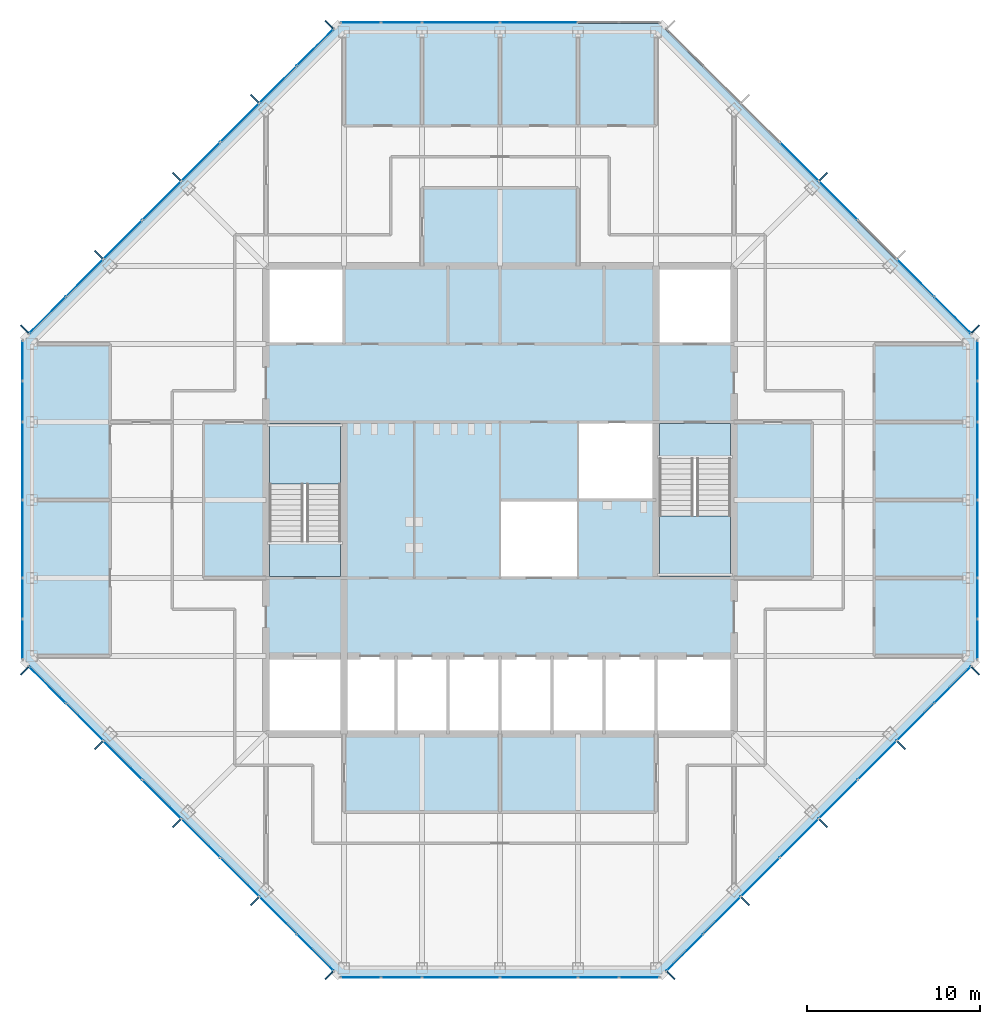
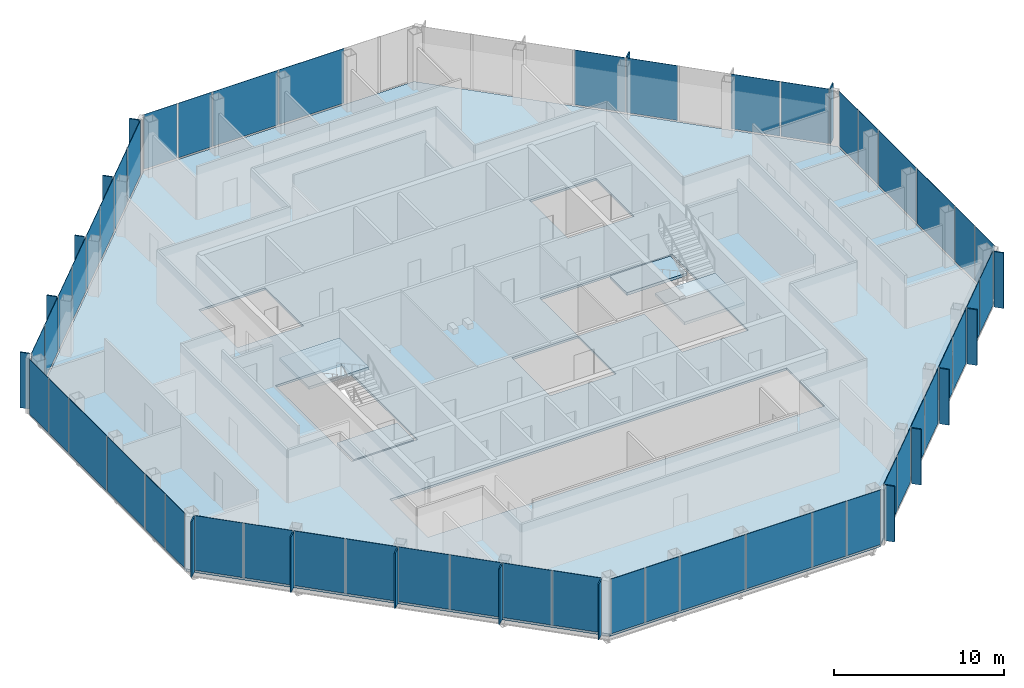
# One storey, part 8 of 14: 67 plates, 5 slabs, 10 elements without a shape of their own.
"""IFC4 building model written with IfcOpenShell, lengths in metres."""

from ifc_helpers import new_model, si_unit, direction, frame, origin, origin_2d, place, context, subcontext, project, spatial, polyline, rectangle, outline, extrude, material, layer, layer_set, type_object, element, aggregate, save


model = new_model("IFC4")

# Units and contexts
model_context = context("Model", 3, precision=1e-05, world=origin(), true_north=direction((0.0, 1.0)))
body_context = subcontext(model_context, "Body", "Model", "MODEL_VIEW")
ifc_project = project(units=[si_unit("LENGTHUNIT", "METRE"), si_unit("AREAUNIT", "SQUARE_METRE"), si_unit("VOLUMEUNIT", "CUBIC_METRE"), si_unit("PLANEANGLEUNIT", "RADIAN"), si_unit("MASSUNIT", "GRAM", prefix="KILO")], contexts=[model_context])

# Site, building, storey
site_placement = place(None, origin())
site = spatial("IfcSite", under=ifc_project, at=site_placement, CompositionType="ELEMENT")
building_placement = place(site_placement, origin())
building = spatial("IfcBuilding", under=site, at=building_placement, Name="Corais Broadcast Tower", CompositionType="ELEMENT")
storey_placement = place(building_placement, frame((0.0, 0.0, 214.60009765625)))
storey = spatial("IfcBuildingStorey", under=building, at=storey_placement, Name="L49", CompositionType="ELEMENT", Elevation=214.60009765625)

# Slab
ifc_material_1 = material(Name="Concrete C30/37", Category="concrete")
ifc_layer_1 = layer(ifc_material_1, 0.159912109375)
ifc_layer_set_1 = layer_set([ifc_layer_1], Name="Concrete C30/37")
slab_type_1 = type_object("IfcSlabType", Name="Composite floor slab 160", PredefinedType="FLOOR", material=ifc_layer_set_1)
slab_1_placement = place(storey_placement, frame((0.0, 0.0, -0.16015625)))
element("IfcSlab", 1, at=slab_1_placement, inside=storey, type_object=slab_type_1, Name="S160 floor slab L49", PredefinedType="FLOOR", context=body_context, shape_type="SweptSolid", body=[
    extrude(outline(polyline([(17.80126953125, -0.47998046875), (-0.47998046875, 17.80126953125), (-0.47998046875, 36.19873046875), (17.80126953125, 54.47998046875), (36.19873046875, 54.47998046875), (54.47998046875, 36.19873046875), (54.47998046875, 17.80126953125), (36.19873046875, -0.47998046875), (17.80126953125, -0.47998046875)]), holes=[polyline([(13.5, 18.0), (40.5, 18.0), (40.5, 13.5), (13.5, 13.5), (13.5, 18.0)]), polyline([(18.0, 22.5), (13.5, 22.5), (13.5, 31.5), (18.0, 31.5), (18.0, 22.5)]), polyline([(18.0, 36.0), (13.5, 36.0), (13.5, 40.5), (18.0, 40.5), (18.0, 36.0)]), polyline([(31.5, 22.5), (27.0, 22.5), (27.0, 27.0), (31.4951171875, 27.0), (31.4951171875, 27.0048828125), (31.5, 27.0048828125), (31.5, 31.5), (40.5, 31.5), (40.5, 22.5), (36.0, 22.5), (36.0, 27.0), (31.5048828125, 27.0), (31.5048828125, 26.9951171875), (31.5, 26.9951171875), (31.5, 22.5)]), polyline([(40.5, 36.0), (36.0, 36.0), (36.0, 40.5), (40.5, 40.5), (40.5, 36.0)])]), origin(), (0.0, 0.0, 1.0), 0.16015625),
])

# Curtain wall, plates
ifc_material_2 = material(Name="Aluminium and glass", Category="aluminium")
curtain_wall_type = type_object("IfcCurtainWallType", Name="Unitised fritted curtain wall CW3", PredefinedType="NOTDEFINED", material=ifc_material_2)
curtain_wall_1_placement = place(storey_placement, origin())
curtain_wall_1 = element("IfcCurtainWall", 2, at=curtain_wall_1_placement, inside=storey, type_object=curtain_wall_type, Name="CW3 curtain wall L49 1", PredefinedType="NOTDEFINED")
ifc_material_3 = material(Name="Ceramic-fritted laminated glass", Category="glass")
ifc_layer_2 = layer(ifc_material_3, 0.02587890625)
ifc_layer_set_2 = layer_set([ifc_layer_2], Name="Ceramic-fritted laminated glass")
plate_type_1 = type_object("IfcPlateType", Name="Fritted glass panel CW3", PredefinedType="CURTAIN_PANEL", material=ifc_layer_set_2)
plate_1_placement = place(storey_placement, frame((16.330322265625, 0.891845703125, 0.06494140625), z_axis=(0.0, 0.0, 1.0), x_axis=(-0.707106781187, 0.707106781187, 0.0)))
plate_1 = element("IfcPlate", 3, at=plate_1_placement, type_object=plate_type_1, Name="CW3 panel 1", PredefinedType="CURTAIN_PANEL", context=body_context, shape_type="SweptSolid", body=[
    extrude(rectangle(XDim=2.9482421875, YDim=0.02587890625, at=origin_2d()), origin(), (0.0, 0.0, 1.0), 3.93505859375),
])
plate_2_placement = place(storey_placement, frame((11.986083984375, 5.236083984375, 0.06494140625), z_axis=(0.0, 0.0, 1.0), x_axis=(-0.707106781187, 0.707106781187, 0.0)))
plate_2 = element("IfcPlate", 4, at=plate_2_placement, type_object=plate_type_1, Name="CW3 panel 3", PredefinedType="CURTAIN_PANEL", context=body_context, shape_type="SweptSolid", body=[
    extrude(rectangle(XDim=3.116943359375, YDim=0.02587890625, at=origin_2d()), origin(), (0.0, 0.0, 1.0), 3.93505859375),
])
plate_3_placement = place(storey_placement, frame((7.486083984375, 9.736083984375, 0.06494140625), z_axis=(0.0, 0.0, 1.0), x_axis=(-0.707106781187, 0.707106781187, 0.0)))
plate_3 = element("IfcPlate", 5, at=plate_3_placement, type_object=plate_type_1, Name="CW3 panel 5", PredefinedType="CURTAIN_PANEL", context=body_context, shape_type="SweptSolid", body=[
    extrude(rectangle(XDim=3.116943359375, YDim=0.02587890625, at=origin_2d()), origin(), (0.0, 0.0, 1.0), 3.93505859375),
])
plate_4_placement = place(storey_placement, frame((3.0341796875, 14.18798828125, 0.06494140625), z_axis=(0.0, 0.0, 1.0), x_axis=(-0.707106781187, 0.707106781187, 0.0)))
plate_4 = element("IfcPlate", 6, at=plate_4_placement, type_object=plate_type_1, Name="CW3 panel 7", PredefinedType="CURTAIN_PANEL", context=body_context, shape_type="SweptSolid", body=[
    extrude(rectangle(XDim=2.98095703125, YDim=0.02587890625, at=origin_2d()), origin(), (0.0, 0.0, 1.0), 3.93505859375),
])

curtain_wall_2_placement = place(storey_placement, origin())
curtain_wall_2 = element("IfcCurtainWall", 7, at=curtain_wall_2_placement, inside=storey, type_object=curtain_wall_type, Name="CW3 curtain wall L49 2", PredefinedType="NOTDEFINED")
plate_5_placement = place(storey_placement, frame((-0.550048828125, 18.970458984375, 0.06494140625), z_axis=(0.0, 0.0, 1.0), x_axis=(0.0, 1.0, 0.0)))
plate_5 = element("IfcPlate", 8, at=plate_5_placement, type_object=plate_type_1, Name="CW3 panel 1", PredefinedType="CURTAIN_PANEL", context=body_context, shape_type="SweptSolid", body=[
    extrude(rectangle(XDim=2.266357421875, YDim=0.02587890625, at=origin_2d()), origin(), (0.0, 0.0, 1.0), 3.93505859375),
])
plate_6_placement = place(storey_placement, frame((-0.550048828125, 24.75, 0.06494140625), z_axis=(0.0, 0.0, 1.0), x_axis=(0.0, 1.0, 0.0)))
plate_6 = element("IfcPlate", 9, at=plate_6_placement, type_object=plate_type_1, Name="CW3 panel 3", PredefinedType="CURTAIN_PANEL", context=body_context, shape_type="SweptSolid", body=[
    extrude(rectangle(XDim=4.43505859375, YDim=0.02587890625, at=origin_2d()), origin(), (0.0, 0.0, 1.0), 3.93505859375),
])
plate_7_placement = place(storey_placement, frame((-0.550048828125, 32.681884765625, 0.06494140625), z_axis=(0.0, 0.0, 1.0), x_axis=(0.0, 1.0, 0.0)))
plate_7 = element("IfcPlate", 10, at=plate_7_placement, type_object=plate_type_1, Name="CW3 panel 5", PredefinedType="CURTAIN_PANEL", context=body_context, shape_type="SweptSolid", body=[
    extrude(rectangle(XDim=2.298828125, YDim=0.02587890625, at=origin_2d()), origin(), (0.0, 0.0, 1.0), 3.93505859375),
])

curtain_wall_3_placement = place(storey_placement, origin())
curtain_wall_3 = element("IfcCurtainWall", 11, at=curtain_wall_3_placement, inside=storey, type_object=curtain_wall_type, Name="CW3 curtain wall L49 3", PredefinedType="NOTDEFINED")
plate_8_placement = place(storey_placement, frame((0.891845703125, 37.669677734375, 0.06494140625), z_axis=(0.0, 0.0, 1.0), x_axis=(0.707106781187, 0.707106781187, 0.0)))
plate_8 = element("IfcPlate", 12, at=plate_8_placement, type_object=plate_type_1, Name="CW3 panel 1", PredefinedType="CURTAIN_PANEL", context=body_context, shape_type="SweptSolid", body=[
    extrude(rectangle(XDim=2.9482421875, YDim=0.02587890625, at=origin_2d()), origin(), (0.0, 0.0, 1.0), 3.93505859375),
])
plate_9_placement = place(storey_placement, frame((5.236083984375, 42.013916015625, 0.06494140625), z_axis=(0.0, 0.0, 1.0), x_axis=(0.707106781187, 0.707106781187, 0.0)))
plate_9 = element("IfcPlate", 13, at=plate_9_placement, type_object=plate_type_1, Name="CW3 panel 3", PredefinedType="CURTAIN_PANEL", context=body_context, shape_type="SweptSolid", body=[
    extrude(rectangle(XDim=3.116943359375, YDim=0.02587890625, at=origin_2d()), origin(), (0.0, 0.0, 1.0), 3.93505859375),
])
plate_10_placement = place(storey_placement, frame((9.736083984375, 46.513916015625, 0.06494140625), z_axis=(0.0, 0.0, 1.0), x_axis=(0.707106781187, 0.707106781187, 0.0)))
plate_10 = element("IfcPlate", 14, at=plate_10_placement, type_object=plate_type_1, Name="CW3 panel 5", PredefinedType="CURTAIN_PANEL", context=body_context, shape_type="SweptSolid", body=[
    extrude(rectangle(XDim=3.116943359375, YDim=0.02587890625, at=origin_2d()), origin(), (0.0, 0.0, 1.0), 3.93505859375),
])
plate_11_placement = place(storey_placement, frame((14.18798828125, 50.9658203125, 0.06494140625), z_axis=(0.0, 0.0, 1.0), x_axis=(0.707106781187, 0.707106781187, 0.0)))
plate_11 = element("IfcPlate", 15, at=plate_11_placement, type_object=plate_type_1, Name="CW3 panel 7", PredefinedType="CURTAIN_PANEL", context=body_context, shape_type="SweptSolid", body=[
    extrude(rectangle(XDim=2.98095703125, YDim=0.02587890625, at=origin_2d()), origin(), (0.0, 0.0, 1.0), 3.93505859375),
])

curtain_wall_4_placement = place(storey_placement, origin())
curtain_wall_4 = element("IfcCurtainWall", 16, at=curtain_wall_4_placement, inside=storey, type_object=curtain_wall_type, Name="CW3 curtain wall L49 4", PredefinedType="NOTDEFINED")
plate_12_placement = place(storey_placement, frame((18.970458984375, 54.550048828125, 0.06494140625), z_axis=(0.0, 0.0, 1.0), x_axis=(1.0, 0.0, 0.0)))
plate_12 = element("IfcPlate", 17, at=plate_12_placement, type_object=plate_type_1, Name="CW3 panel 1", PredefinedType="CURTAIN_PANEL", context=body_context, shape_type="SweptSolid", body=[
    extrude(rectangle(XDim=2.266357421875, YDim=0.02587890625, at=origin_2d()), origin(), (0.0, 0.0, 1.0), 3.93505859375),
])
plate_13_placement = place(storey_placement, frame((24.75, 54.550048828125, 0.06494140625), z_axis=(0.0, 0.0, 1.0), x_axis=(1.0, 0.0, 0.0)))
plate_13 = element("IfcPlate", 18, at=plate_13_placement, type_object=plate_type_1, Name="CW3 panel 3", PredefinedType="CURTAIN_PANEL", context=body_context, shape_type="SweptSolid", body=[
    extrude(rectangle(XDim=4.43505859375, YDim=0.02587890625, at=origin_2d()), origin(), (0.0, 0.0, 1.0), 3.93505859375),
])

curtain_wall_5_placement = place(storey_placement, origin())
curtain_wall_5 = element("IfcCurtainWall", 19, at=curtain_wall_5_placement, inside=storey, type_object=curtain_wall_type, Name="CW3 curtain wall L49 5", PredefinedType="NOTDEFINED")
plate_14_placement = place(storey_placement, frame((46.513916015625, 44.263916015625, 0.06494140625), z_axis=(0.0, 0.0, 1.0), x_axis=(0.707106781187, -0.707106781187, 0.0)))
plate_14 = element("IfcPlate", 20, at=plate_14_placement, type_object=plate_type_1, Name="CW3 panel 5", PredefinedType="CURTAIN_PANEL", context=body_context, shape_type="SweptSolid", body=[
    extrude(rectangle(XDim=3.116943359375, YDim=0.02587890625, at=origin_2d()), origin(), (0.0, 0.0, 1.0), 3.93505859375),
])
plate_15_placement = place(storey_placement, frame((50.9658203125, 39.81201171875, 0.06494140625), z_axis=(0.0, 0.0, 1.0), x_axis=(0.707106781187, -0.707106781187, 0.0)))
plate_15 = element("IfcPlate", 21, at=plate_15_placement, type_object=plate_type_1, Name="CW3 panel 7", PredefinedType="CURTAIN_PANEL", context=body_context, shape_type="SweptSolid", body=[
    extrude(rectangle(XDim=2.98095703125, YDim=0.02587890625, at=origin_2d()), origin(), (0.0, 0.0, 1.0), 3.93505859375),
])

curtain_wall_6_placement = place(storey_placement, origin())
curtain_wall_6 = element("IfcCurtainWall", 22, at=curtain_wall_6_placement, inside=storey, type_object=curtain_wall_type, Name="CW3 curtain wall L49 6", PredefinedType="NOTDEFINED")
plate_16_placement = place(storey_placement, frame((54.550048828125, 35.029541015625, 0.06494140625), z_axis=(0.0, 0.0, 1.0), x_axis=(0.0, -1.0, 0.0)))
plate_16 = element("IfcPlate", 23, at=plate_16_placement, type_object=plate_type_1, Name="CW3 panel 1", PredefinedType="CURTAIN_PANEL", context=body_context, shape_type="SweptSolid", body=[
    extrude(rectangle(XDim=2.266357421875, YDim=0.02587890625, at=origin_2d()), origin(), (0.0, 0.0, 1.0), 3.93505859375),
])
plate_17_placement = place(storey_placement, frame((54.550048828125, 29.25, 0.06494140625), z_axis=(0.0, 0.0, 1.0), x_axis=(0.0, -1.0, 0.0)))
plate_17 = element("IfcPlate", 24, at=plate_17_placement, type_object=plate_type_1, Name="CW3 panel 3", PredefinedType="CURTAIN_PANEL", context=body_context, shape_type="SweptSolid", body=[
    extrude(rectangle(XDim=4.43505859375, YDim=0.02587890625, at=origin_2d()), origin(), (0.0, 0.0, 1.0), 3.93505859375),
])
plate_18_placement = place(storey_placement, frame((54.550048828125, 21.318115234375, 0.06494140625), z_axis=(0.0, 0.0, 1.0), x_axis=(0.0, -1.0, 0.0)))
plate_18 = element("IfcPlate", 25, at=plate_18_placement, type_object=plate_type_1, Name="CW3 panel 5", PredefinedType="CURTAIN_PANEL", context=body_context, shape_type="SweptSolid", body=[
    extrude(rectangle(XDim=2.298828125, YDim=0.02587890625, at=origin_2d()), origin(), (0.0, 0.0, 1.0), 3.93505859375),
])

curtain_wall_7_placement = place(storey_placement, origin())
curtain_wall_7 = element("IfcCurtainWall", 26, at=curtain_wall_7_placement, inside=storey, type_object=curtain_wall_type, Name="CW3 curtain wall L49 7", PredefinedType="NOTDEFINED")
plate_19_placement = place(storey_placement, frame((53.108154296875, 16.330322265625, 0.06494140625), z_axis=(0.0, 0.0, 1.0), x_axis=(-0.707106781187, -0.707106781187, 0.0)))
plate_19 = element("IfcPlate", 27, at=plate_19_placement, type_object=plate_type_1, Name="CW3 panel 1", PredefinedType="CURTAIN_PANEL", context=body_context, shape_type="SweptSolid", body=[
    extrude(rectangle(XDim=2.9482421875, YDim=0.02587890625, at=origin_2d()), origin(), (0.0, 0.0, 1.0), 3.93505859375),
])
plate_20_placement = place(storey_placement, frame((48.763916015625, 11.986083984375, 0.06494140625), z_axis=(0.0, 0.0, 1.0), x_axis=(-0.707106781187, -0.707106781187, 0.0)))
plate_20 = element("IfcPlate", 28, at=plate_20_placement, type_object=plate_type_1, Name="CW3 panel 3", PredefinedType="CURTAIN_PANEL", context=body_context, shape_type="SweptSolid", body=[
    extrude(rectangle(XDim=3.116943359375, YDim=0.02587890625, at=origin_2d()), origin(), (0.0, 0.0, 1.0), 3.93505859375),
])
plate_21_placement = place(storey_placement, frame((44.263916015625, 7.486083984375, 0.06494140625), z_axis=(0.0, 0.0, 1.0), x_axis=(-0.707106781187, -0.707106781187, 0.0)))
plate_21 = element("IfcPlate", 29, at=plate_21_placement, type_object=plate_type_1, Name="CW3 panel 5", PredefinedType="CURTAIN_PANEL", context=body_context, shape_type="SweptSolid", body=[
    extrude(rectangle(XDim=3.116943359375, YDim=0.02587890625, at=origin_2d()), origin(), (0.0, 0.0, 1.0), 3.93505859375),
])
plate_22_placement = place(storey_placement, frame((39.81201171875, 3.0341796875, 0.06494140625), z_axis=(0.0, 0.0, 1.0), x_axis=(-0.707106781187, -0.707106781187, 0.0)))
plate_22 = element("IfcPlate", 30, at=plate_22_placement, type_object=plate_type_1, Name="CW3 panel 7", PredefinedType="CURTAIN_PANEL", context=body_context, shape_type="SweptSolid", body=[
    extrude(rectangle(XDim=2.98095703125, YDim=0.02587890625, at=origin_2d()), origin(), (0.0, 0.0, 1.0), 3.93505859375),
])

curtain_wall_8_placement = place(storey_placement, origin())
curtain_wall_8 = element("IfcCurtainWall", 31, at=curtain_wall_8_placement, inside=storey, type_object=curtain_wall_type, Name="CW3 curtain wall L49 8", PredefinedType="NOTDEFINED")
plate_23_placement = place(storey_placement, frame((35.029541015625, -0.550048828125, 0.06494140625), z_axis=(0.0, 0.0, 1.0), x_axis=(-1.0, 0.0, 0.0)))
plate_23 = element("IfcPlate", 32, at=plate_23_placement, type_object=plate_type_1, Name="CW3 panel 1", PredefinedType="CURTAIN_PANEL", context=body_context, shape_type="SweptSolid", body=[
    extrude(rectangle(XDim=2.266357421875, YDim=0.02587890625, at=origin_2d()), origin(), (0.0, 0.0, 1.0), 3.93505859375),
])
plate_24_placement = place(storey_placement, frame((29.25, -0.550048828125, 0.06494140625), z_axis=(0.0, 0.0, 1.0), x_axis=(-1.0, 0.0, 0.0)))
plate_24 = element("IfcPlate", 33, at=plate_24_placement, type_object=plate_type_1, Name="CW3 panel 3", PredefinedType="CURTAIN_PANEL", context=body_context, shape_type="SweptSolid", body=[
    extrude(rectangle(XDim=4.43505859375, YDim=0.02587890625, at=origin_2d()), origin(), (0.0, 0.0, 1.0), 3.93505859375),
])
plate_25_placement = place(storey_placement, frame((21.318115234375, -0.550048828125, 0.06494140625), z_axis=(0.0, 0.0, 1.0), x_axis=(-1.0, 0.0, 0.0)))
plate_25 = element("IfcPlate", 34, at=plate_25_placement, type_object=plate_type_1, Name="CW3 panel 5", PredefinedType="CURTAIN_PANEL", context=body_context, shape_type="SweptSolid", body=[
    extrude(rectangle(XDim=2.298828125, YDim=0.02587890625, at=origin_2d()), origin(), (0.0, 0.0, 1.0), 3.93505859375),
])

# Plate
ifc_material_4 = material(Name="Clear laminated glass", Category="glass")
ifc_layer_3 = layer(ifc_material_4, 0.030029296875)
ifc_layer_set_3 = layer_set([ifc_layer_3], Name="Clear laminated glass")
plate_type_2 = type_object("IfcPlateType", Name="Operable glass panel CW3", PredefinedType="CURTAIN_PANEL", material=ifc_layer_set_3)
plate_26_placement = place(storey_placement, frame((14.18798828125, 3.0341796875, 0.06494140625), z_axis=(0.0, 0.0, 1.0), x_axis=(-0.707106781187, 0.707106781187, 0.0)))
plate_26 = element("IfcPlate", 35, at=plate_26_placement, type_object=plate_type_2, Name="CW3 operable panel 2", PredefinedType="CURTAIN_PANEL", context=body_context, shape_type="SweptSolid", body=[
    extrude(rectangle(XDim=2.98095703125, YDim=0.030029296875, at=origin_2d()), origin(), (0.0, 0.0, 1.0), 3.93505859375),
])

plate_27_placement = place(storey_placement, frame((9.736083984375, 7.486083984375, 0.06494140625), z_axis=(0.0, 0.0, 1.0), x_axis=(-0.707106781187, 0.707106781187, 0.0)))
plate_27 = element("IfcPlate", 36, at=plate_27_placement, type_object=plate_type_2, Name="CW3 operable panel 4", PredefinedType="CURTAIN_PANEL", context=body_context, shape_type="SweptSolid", body=[
    extrude(rectangle(XDim=3.116943359375, YDim=0.030029296875, at=origin_2d()), origin(), (0.0, 0.0, 1.0), 3.93505859375),
])

plate_28_placement = place(storey_placement, frame((5.236083984375, 11.986083984375, 0.06494140625), z_axis=(0.0, 0.0, 1.0), x_axis=(-0.707106781187, 0.707106781187, 0.0)))
plate_28 = element("IfcPlate", 37, at=plate_28_placement, type_object=plate_type_2, Name="CW3 operable panel 6", PredefinedType="CURTAIN_PANEL", context=body_context, shape_type="SweptSolid", body=[
    extrude(rectangle(XDim=3.116943359375, YDim=0.030029296875, at=origin_2d()), origin(), (0.0, 0.0, 1.0), 3.93505859375),
])

plate_29_placement = place(storey_placement, frame((0.89208984375, 16.330322265625, 0.06494140625), z_axis=(0.0, 0.0, 1.0), x_axis=(-0.707106781187, 0.707106781187, 0.0)))
plate_29 = element("IfcPlate", 38, at=plate_29_placement, type_object=plate_type_2, Name="CW3 operable panel 8", PredefinedType="CURTAIN_PANEL", context=body_context, shape_type="SweptSolid", body=[
    extrude(rectangle(XDim=2.948486328125, YDim=0.030029296875, at=origin_2d()), origin(), (0.0, 0.0, 1.0), 3.93505859375),
])

aggregate(curtain_wall_1, [plate_1, plate_26, plate_2, plate_27, plate_3, plate_28, plate_4, plate_29])

plate_30_placement = place(storey_placement, frame((-0.550048828125, 21.318115234375, 0.06494140625), z_axis=(0.0, 0.0, 1.0), x_axis=(0.0, 1.0, 0.0)))
plate_30 = element("IfcPlate", 39, at=plate_30_placement, type_object=plate_type_2, Name="CW3 operable panel 2", PredefinedType="CURTAIN_PANEL", context=body_context, shape_type="SweptSolid", body=[
    extrude(rectangle(XDim=2.298828125, YDim=0.030029296875, at=origin_2d()), origin(), (0.0, 0.0, 1.0), 3.93505859375),
])

plate_31_placement = place(storey_placement, frame((-0.550048828125, 29.25, 0.06494140625), z_axis=(0.0, 0.0, 1.0), x_axis=(0.0, 1.0, 0.0)))
plate_31 = element("IfcPlate", 40, at=plate_31_placement, type_object=plate_type_2, Name="CW3 operable panel 4", PredefinedType="CURTAIN_PANEL", context=body_context, shape_type="SweptSolid", body=[
    extrude(rectangle(XDim=4.43505859375, YDim=0.030029296875, at=origin_2d()), origin(), (0.0, 0.0, 1.0), 3.93505859375),
])

plate_32_placement = place(storey_placement, frame((-0.550048828125, 35.029541015625, 0.06494140625), z_axis=(0.0, 0.0, 1.0), x_axis=(0.0, 1.0, 0.0)))
plate_32 = element("IfcPlate", 41, at=plate_32_placement, type_object=plate_type_2, Name="CW3 operable panel 6", PredefinedType="CURTAIN_PANEL", context=body_context, shape_type="SweptSolid", body=[
    extrude(rectangle(XDim=2.266357421875, YDim=0.030029296875, at=origin_2d()), origin(), (0.0, 0.0, 1.0), 3.93505859375),
])

aggregate(curtain_wall_2, [plate_5, plate_30, plate_6, plate_31, plate_7, plate_32])

plate_33_placement = place(storey_placement, frame((3.0341796875, 39.81201171875, 0.06494140625), z_axis=(0.0, 0.0, 1.0), x_axis=(0.707106781187, 0.707106781187, 0.0)))
plate_33 = element("IfcPlate", 42, at=plate_33_placement, type_object=plate_type_2, Name="CW3 operable panel 2", PredefinedType="CURTAIN_PANEL", context=body_context, shape_type="SweptSolid", body=[
    extrude(rectangle(XDim=2.98095703125, YDim=0.030029296875, at=origin_2d()), origin(), (0.0, 0.0, 1.0), 3.93505859375),
])

plate_34_placement = place(storey_placement, frame((7.486083984375, 44.263916015625, 0.06494140625), z_axis=(0.0, 0.0, 1.0), x_axis=(0.707106781187, 0.707106781187, 0.0)))
plate_34 = element("IfcPlate", 43, at=plate_34_placement, type_object=plate_type_2, Name="CW3 operable panel 4", PredefinedType="CURTAIN_PANEL", context=body_context, shape_type="SweptSolid", body=[
    extrude(rectangle(XDim=3.116943359375, YDim=0.030029296875, at=origin_2d()), origin(), (0.0, 0.0, 1.0), 3.93505859375),
])

plate_35_placement = place(storey_placement, frame((11.986083984375, 48.763916015625, 0.06494140625), z_axis=(0.0, 0.0, 1.0), x_axis=(0.707106781187, 0.707106781187, 0.0)))
plate_35 = element("IfcPlate", 44, at=plate_35_placement, type_object=plate_type_2, Name="CW3 operable panel 6", PredefinedType="CURTAIN_PANEL", context=body_context, shape_type="SweptSolid", body=[
    extrude(rectangle(XDim=3.116943359375, YDim=0.030029296875, at=origin_2d()), origin(), (0.0, 0.0, 1.0), 3.93505859375),
])

plate_36_placement = place(storey_placement, frame((16.330322265625, 53.10791015625, 0.06494140625), z_axis=(0.0, 0.0, 1.0), x_axis=(0.707106781187, 0.707106781187, 0.0)))
plate_36 = element("IfcPlate", 45, at=plate_36_placement, type_object=plate_type_2, Name="CW3 operable panel 8", PredefinedType="CURTAIN_PANEL", context=body_context, shape_type="SweptSolid", body=[
    extrude(rectangle(XDim=2.948486328125, YDim=0.030029296875, at=origin_2d()), origin(), (0.0, 0.0, 1.0), 3.93505859375),
])

aggregate(curtain_wall_3, [plate_8, plate_33, plate_9, plate_34, plate_10, plate_35, plate_11, plate_36])

plate_37_placement = place(storey_placement, frame((21.318115234375, 54.550048828125, 0.06494140625), z_axis=(0.0, 0.0, 1.0), x_axis=(1.0, 0.0, 0.0)))
plate_37 = element("IfcPlate", 46, at=plate_37_placement, type_object=plate_type_2, Name="CW3 operable panel 2", PredefinedType="CURTAIN_PANEL", context=body_context, shape_type="SweptSolid", body=[
    extrude(rectangle(XDim=2.298828125, YDim=0.030029296875, at=origin_2d()), origin(), (0.0, 0.0, 1.0), 3.93505859375),
])

plate_38_placement = place(storey_placement, frame((29.25, 54.550048828125, 0.06494140625), z_axis=(0.0, 0.0, 1.0), x_axis=(1.0, 0.0, 0.0)))
plate_38 = element("IfcPlate", 47, at=plate_38_placement, type_object=plate_type_2, Name="CW3 operable panel 4", PredefinedType="CURTAIN_PANEL", context=body_context, shape_type="SweptSolid", body=[
    extrude(rectangle(XDim=4.43505859375, YDim=0.030029296875, at=origin_2d()), origin(), (0.0, 0.0, 1.0), 3.93505859375),
])

aggregate(curtain_wall_4, [plate_12, plate_37, plate_13, plate_38])

plate_39_placement = place(storey_placement, frame((44.263916015625, 46.513916015625, 0.06494140625), z_axis=(0.0, 0.0, 1.0), x_axis=(0.707106781187, -0.707106781187, 0.0)))
plate_39 = element("IfcPlate", 48, at=plate_39_placement, type_object=plate_type_2, Name="CW3 operable panel 4", PredefinedType="CURTAIN_PANEL", context=body_context, shape_type="SweptSolid", body=[
    extrude(rectangle(XDim=3.116943359375, YDim=0.030029296875, at=origin_2d()), origin(), (0.0, 0.0, 1.0), 3.93505859375),
])

plate_40_placement = place(storey_placement, frame((53.10791015625, 37.669677734375, 0.06494140625), z_axis=(0.0, 0.0, 1.0), x_axis=(0.707106781187, -0.707106781187, 0.0)))
plate_40 = element("IfcPlate", 49, at=plate_40_placement, type_object=plate_type_2, Name="CW3 operable panel 8", PredefinedType="CURTAIN_PANEL", context=body_context, shape_type="SweptSolid", body=[
    extrude(rectangle(XDim=2.948486328125, YDim=0.030029296875, at=origin_2d()), origin(), (0.0, 0.0, 1.0), 3.93505859375),
])

aggregate(curtain_wall_5, [plate_39, plate_14, plate_15, plate_40])

plate_41_placement = place(storey_placement, frame((54.550048828125, 32.681884765625, 0.06494140625), z_axis=(0.0, 0.0, 1.0), x_axis=(0.0, -1.0, 0.0)))
plate_41 = element("IfcPlate", 50, at=plate_41_placement, type_object=plate_type_2, Name="CW3 operable panel 2", PredefinedType="CURTAIN_PANEL", context=body_context, shape_type="SweptSolid", body=[
    extrude(rectangle(XDim=2.298828125, YDim=0.030029296875, at=origin_2d()), origin(), (0.0, 0.0, 1.0), 3.93505859375),
])

plate_42_placement = place(storey_placement, frame((54.550048828125, 24.75, 0.06494140625), z_axis=(0.0, 0.0, 1.0), x_axis=(0.0, -1.0, 0.0)))
plate_42 = element("IfcPlate", 51, at=plate_42_placement, type_object=plate_type_2, Name="CW3 operable panel 4", PredefinedType="CURTAIN_PANEL", context=body_context, shape_type="SweptSolid", body=[
    extrude(rectangle(XDim=4.43505859375, YDim=0.030029296875, at=origin_2d()), origin(), (0.0, 0.0, 1.0), 3.93505859375),
])

plate_43_placement = place(storey_placement, frame((54.550048828125, 18.970458984375, 0.06494140625), z_axis=(0.0, 0.0, 1.0), x_axis=(0.0, -1.0, 0.0)))
plate_43 = element("IfcPlate", 52, at=plate_43_placement, type_object=plate_type_2, Name="CW3 operable panel 6", PredefinedType="CURTAIN_PANEL", context=body_context, shape_type="SweptSolid", body=[
    extrude(rectangle(XDim=2.266357421875, YDim=0.030029296875, at=origin_2d()), origin(), (0.0, 0.0, 1.0), 3.93505859375),
])

aggregate(curtain_wall_6, [plate_16, plate_41, plate_17, plate_42, plate_18, plate_43])

plate_44_placement = place(storey_placement, frame((50.9658203125, 14.18798828125, 0.06494140625), z_axis=(0.0, 0.0, 1.0), x_axis=(-0.707106781187, -0.707106781187, 0.0)))
plate_44 = element("IfcPlate", 53, at=plate_44_placement, type_object=plate_type_2, Name="CW3 operable panel 2", PredefinedType="CURTAIN_PANEL", context=body_context, shape_type="SweptSolid", body=[
    extrude(rectangle(XDim=2.98095703125, YDim=0.030029296875, at=origin_2d()), origin(), (0.0, 0.0, 1.0), 3.93505859375),
])

plate_45_placement = place(storey_placement, frame((46.513916015625, 9.736083984375, 0.06494140625), z_axis=(0.0, 0.0, 1.0), x_axis=(-0.707106781187, -0.707106781187, 0.0)))
plate_45 = element("IfcPlate", 54, at=plate_45_placement, type_object=plate_type_2, Name="CW3 operable panel 4", PredefinedType="CURTAIN_PANEL", context=body_context, shape_type="SweptSolid", body=[
    extrude(rectangle(XDim=3.116943359375, YDim=0.030029296875, at=origin_2d()), origin(), (0.0, 0.0, 1.0), 3.93505859375),
])

plate_46_placement = place(storey_placement, frame((42.013916015625, 5.236083984375, 0.06494140625), z_axis=(0.0, 0.0, 1.0), x_axis=(-0.707106781187, -0.707106781187, 0.0)))
plate_46 = element("IfcPlate", 55, at=plate_46_placement, type_object=plate_type_2, Name="CW3 operable panel 6", PredefinedType="CURTAIN_PANEL", context=body_context, shape_type="SweptSolid", body=[
    extrude(rectangle(XDim=3.116943359375, YDim=0.030029296875, at=origin_2d()), origin(), (0.0, 0.0, 1.0), 3.93505859375),
])

plate_47_placement = place(storey_placement, frame((37.669677734375, 0.89208984375, 0.06494140625), z_axis=(0.0, 0.0, 1.0), x_axis=(-0.707106781187, -0.707106781187, 0.0)))
plate_47 = element("IfcPlate", 56, at=plate_47_placement, type_object=plate_type_2, Name="CW3 operable panel 8", PredefinedType="CURTAIN_PANEL", context=body_context, shape_type="SweptSolid", body=[
    extrude(rectangle(XDim=2.948486328125, YDim=0.030029296875, at=origin_2d()), origin(), (0.0, 0.0, 1.0), 3.93505859375),
])

aggregate(curtain_wall_7, [plate_19, plate_44, plate_20, plate_45, plate_21, plate_46, plate_22, plate_47])

plate_48_placement = place(storey_placement, frame((32.681884765625, -0.550048828125, 0.06494140625), z_axis=(0.0, 0.0, 1.0), x_axis=(-1.0, 0.0, 0.0)))
plate_48 = element("IfcPlate", 57, at=plate_48_placement, type_object=plate_type_2, Name="CW3 operable panel 2", PredefinedType="CURTAIN_PANEL", context=body_context, shape_type="SweptSolid", body=[
    extrude(rectangle(XDim=2.298828125, YDim=0.030029296875, at=origin_2d()), origin(), (0.0, 0.0, 1.0), 3.93505859375),
])

plate_49_placement = place(storey_placement, frame((24.75, -0.550048828125, 0.06494140625), z_axis=(0.0, 0.0, 1.0), x_axis=(-1.0, 0.0, 0.0)))
plate_49 = element("IfcPlate", 58, at=plate_49_placement, type_object=plate_type_2, Name="CW3 operable panel 4", PredefinedType="CURTAIN_PANEL", context=body_context, shape_type="SweptSolid", body=[
    extrude(rectangle(XDim=4.43505859375, YDim=0.030029296875, at=origin_2d()), origin(), (0.0, 0.0, 1.0), 3.93505859375),
])

plate_50_placement = place(storey_placement, frame((18.970458984375, -0.550048828125, 0.06494140625), z_axis=(0.0, 0.0, 1.0), x_axis=(-1.0, 0.0, 0.0)))
plate_50 = element("IfcPlate", 59, at=plate_50_placement, type_object=plate_type_2, Name="CW3 operable panel 6", PredefinedType="CURTAIN_PANEL", context=body_context, shape_type="SweptSolid", body=[
    extrude(rectangle(XDim=2.266357421875, YDim=0.030029296875, at=origin_2d()), origin(), (0.0, 0.0, 1.0), 3.93505859375),
])

aggregate(curtain_wall_8, [plate_23, plate_48, plate_24, plate_49, plate_25, plate_50])

# Stair, slabs
ifc_material_5 = material(Name="Concrete C30/37", Category="concrete")
stair_type = type_object("IfcStairType", Name="Half-turn stair 4000", PredefinedType="HALF_TURN_STAIR", material=ifc_material_5)
stair_1_placement = place(storey_placement, origin())
stair_1 = element("IfcStair", 60, at=stair_1_placement, inside=storey, type_object=stair_type, Name="Stair A L49", PredefinedType="HALF_TURN_STAIR")
ifc_material_6 = material(Name="Concrete C30/37", Category="concrete")
ifc_layer_4 = layer(ifc_material_6, 0.199951171875)
ifc_layer_set_4 = layer_set([ifc_layer_4], Name="Concrete C30/37")
slab_type_2 = type_object("IfcSlabType", Name="Stair landing 200", PredefinedType="LANDING", material=ifc_layer_set_4)
slab_2_placement = place(storey_placement, frame((0.0, 0.0, -0.2001953125)))
slab_2 = element("IfcSlab", 61, at=slab_2_placement, type_object=slab_type_2, Name="STA landing 1", PredefinedType="LANDING", context=body_context, shape_type="SweptSolid", body=[
    extrude(outline(polyline([(13.699951171875, 22.60009765625), (17.800048828125, 22.60009765625), (17.800048828125, 24.60009765625), (13.699951171875, 24.60009765625), (13.699951171875, 22.60009765625)])), origin(), (0.0, 0.0, 1.0), 0.2001953125),
])
slab_3_placement = place(storey_placement, frame((0.0, 0.0, 1.7998046875)))
slab_3 = element("IfcSlab", 62, at=slab_3_placement, type_object=slab_type_2, Name="STA landing 2", PredefinedType="LANDING", context=body_context, shape_type="SweptSolid", body=[
    extrude(outline(polyline([(13.699951171875, 27.922119140625), (17.800048828125, 27.922119140625), (17.800048828125, 31.39990234375), (13.699951171875, 31.39990234375), (13.699951171875, 27.922119140625)])), origin(), (0.0, 0.0, 1.0), 0.2001953125),
])
aggregate(stair_1, [slab_2, slab_3])

stair_2_placement = place(storey_placement, origin())
stair_2 = element("IfcStair", 63, at=stair_2_placement, inside=storey, type_object=stair_type, Name="Stair B L49", PredefinedType="HALF_TURN_STAIR")
slab_4_placement = place(storey_placement, frame((0.0, 0.0, -0.2001953125)))
slab_4 = element("IfcSlab", 64, at=slab_4_placement, type_object=slab_type_2, Name="STB landing 1", PredefinedType="LANDING", context=body_context, shape_type="SweptSolid", body=[
    extrude(outline(polyline([(36.199951171875, 29.39990234375), (40.300048828125, 29.39990234375), (40.300048828125, 31.39990234375), (36.199951171875, 31.39990234375), (36.199951171875, 29.39990234375)])), origin(), (0.0, 0.0, 1.0), 0.2001953125),
])
slab_5_placement = place(storey_placement, frame((0.0, 0.0, 1.7998046875)))
slab_5 = element("IfcSlab", 65, at=slab_5_placement, type_object=slab_type_2, Name="STB landing 2", PredefinedType="LANDING", context=body_context, shape_type="SweptSolid", body=[
    extrude(outline(polyline([(36.199951171875, 22.60009765625), (40.300048828125, 22.60009765625), (40.300048828125, 26.077880859375), (36.199951171875, 26.077880859375), (36.199951171875, 22.60009765625)])), origin(), (0.0, 0.0, 1.0), 0.2001953125),
])
aggregate(stair_2, [slab_4, slab_5])

# Plates
ifc_material_7 = material(Name="Granite stone cladding", Category="masonry")
ifc_layer_5 = layer(ifc_material_7, 0.080078125)
ifc_layer_set_5 = layer_set([ifc_layer_5], Name="Granite stone cladding")
plate_type_3 = type_object("IfcPlateType", Name="Stone screen fin 80x600", PredefinedType="USERDEFINED", material=ifc_layer_set_5)
for number, where, z_axis, x_axis, name in (
    (66, (17.129150390625, -0.43994140625, 0.0), (0.0, 0.0, 1.0), (-0.707106781187, 0.707106781187, 0.0), "SF1 stone screen fin L49"),
    (67, (12.844482421875, 3.844482421875, 0.0), (0.0, 0.0, 1.0), (-0.707106781187, 0.707106781187, 0.0), "SF1 stone screen fin L49"),
    (68, (8.344482421875, 8.344482421875, 0.0), (0.0, 0.0, 1.0), (-0.707106781187, 0.707106781187, 0.0), "SF1 stone screen fin L49"),
    (69, (3.844482421875, 12.844482421875, 0.0), (0.0, 0.0, 1.0), (-0.707106781187, 0.707106781187, 0.0), "SF1 stone screen fin L49"),
    (70, (-0.43994140625, 17.129150390625, 0.0), (0.0, 0.0, 1.0), (-0.707106781187, 0.707106781187, 0.0), "SF1 stone screen fin L49"),
    (71, (-0.43994140625, 36.870849609375, 0.0), (0.0, 0.0, 1.0), (0.707106781187, 0.707106781187, 0.0), "SF1 stone screen fin L49"),
    (72, (3.844482421875, 41.155517578125, 0.0), (0.0, 0.0, 1.0), (0.707106781187, 0.707106781187, 0.0), "SF1 stone screen fin L49"),
    (73, (8.344482421875, 45.655517578125, 0.0), (0.0, 0.0, 1.0), (0.707106781187, 0.707106781187, 0.0), "SF1 stone screen fin L49"),
    (74, (12.844482421875, 50.155517578125, 0.0), (0.0, 0.0, 1.0), (0.707106781187, 0.707106781187, 0.0), "SF1 stone screen fin L49"),
    (75, (17.129150390625, 54.43994140625, 0.0), (0.0, 0.0, 1.0), (0.707106781187, 0.707106781187, 0.0), "SF1 stone screen fin L49"),
    (76, (45.655517578125, 45.655517578125, 0.0), (0.0, 0.0, 1.0), (0.707106781187, -0.707106781187, 0.0), "SF1 stone screen fin L49"),
    (77, (54.43994140625, 36.870849609375, 0.0), (0.0, 0.0, 1.0), (0.707106781187, -0.707106781187, 0.0), "SF1 stone screen fin L49"),
    (78, (54.43994140625, 17.129150390625, 0.0), (0.0, 0.0, 1.0), (-0.707106781187, -0.707106781187, 0.0), "SF1 stone screen fin L49"),
    (79, (50.155517578125, 12.844482421875, 0.0), (0.0, 0.0, 1.0), (-0.707106781187, -0.707106781187, 0.0), "SF1 stone screen fin L49"),
    (80, (45.655517578125, 8.344482421875, 0.0), (0.0, 0.0, 1.0), (-0.707106781187, -0.707106781187, 0.0), "SF1 stone screen fin L49"),
    (81, (41.155517578125, 3.844482421875, 0.0), (0.0, 0.0, 1.0), (-0.707106781187, -0.707106781187, 0.0), "SF1 stone screen fin L49"),
    (82, (36.870849609375, -0.43994140625, 0.0), (0.0, 0.0, 1.0), (-0.707106781187, -0.707106781187, 0.0), "SF1 stone screen fin L49"),
):
    element("IfcPlate", number, at=place(storey_placement, frame(where, z_axis=z_axis, x_axis=x_axis)), inside=storey, type_object=plate_type_3, Name=name, ObjectType="STONE SCREEN FIN", PredefinedType="USERDEFINED", context=body_context, shape_type="SweptSolid", body=[
        extrude(rectangle(XDim=0.080078125, YDim=0.60009765625, at=origin_2d()), origin(), (0.0, 0.0, 1.0), 4.0),
    ])

save(model, "model.ifc")
